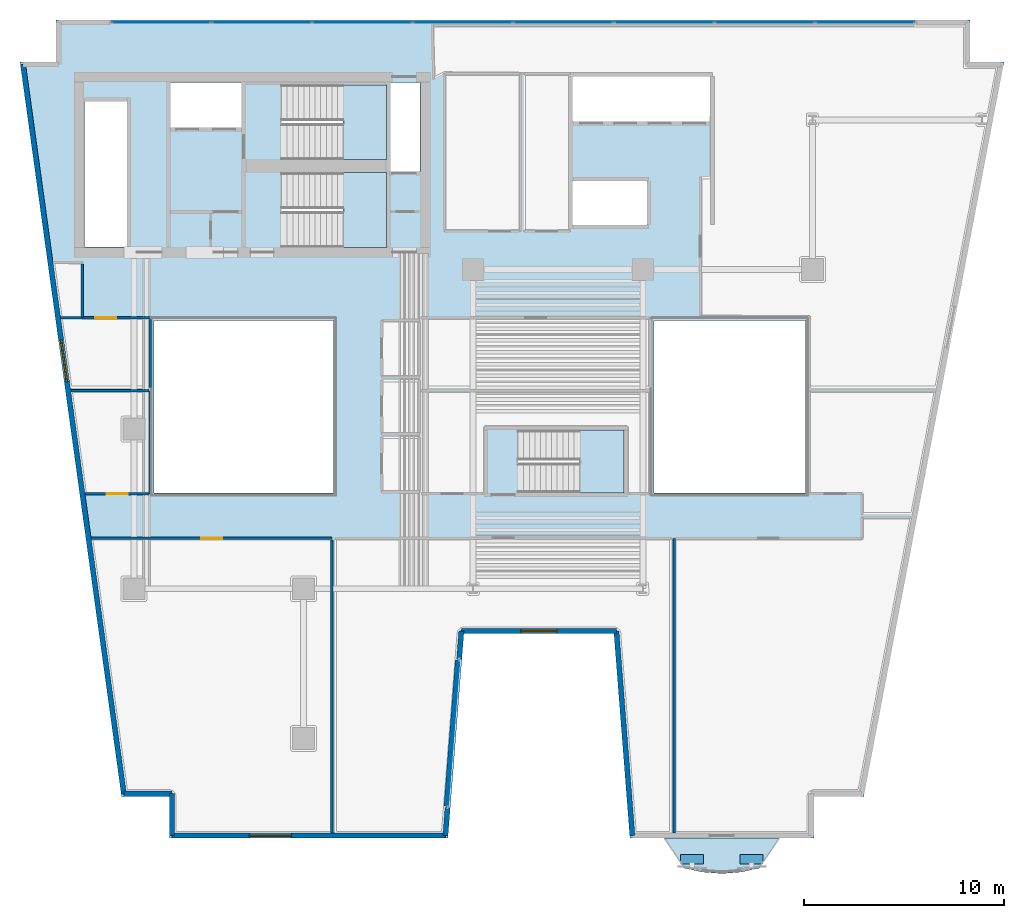
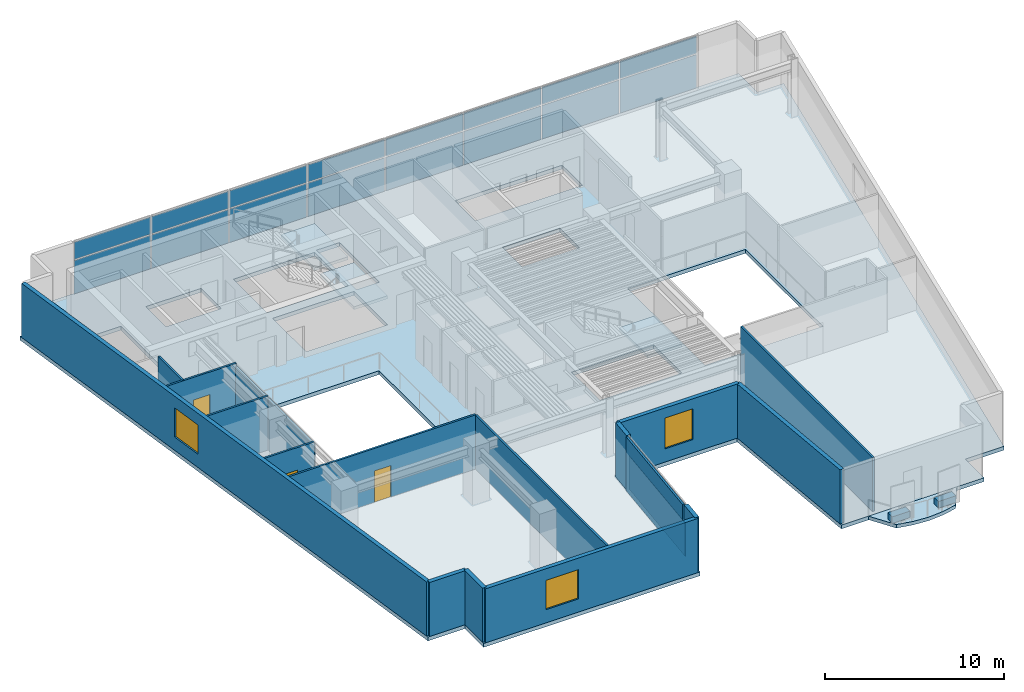
# One storey, part 5 of 13: 20 plates, 18 walls, 5 slabs, 3 doors, 3 windows, 6 openings, 5 elements without a shape of their own.
"""IFC4 building model written with IfcOpenShell, lengths in metres."""

from ifc_helpers import new_model, si_unit, direction, frame, frame_2d, origin, origin_2d, place, context, subcontext, project, spatial, polyline, rectangle, outline, extrude, material, layer, layer_set, type_object, element, fill, aggregate, save


model = new_model("IFC4")

# Units and contexts
model_context = context("Model", 3, precision=1e-05, world=origin(), true_north=direction((0.0, 1.0)))
body_context = subcontext(model_context, "Body", "Model", "MODEL_VIEW")
ifc_project = project(units=[si_unit("LENGTHUNIT", "METRE"), si_unit("AREAUNIT", "SQUARE_METRE"), si_unit("VOLUMEUNIT", "CUBIC_METRE"), si_unit("PLANEANGLEUNIT", "RADIAN"), si_unit("MASSUNIT", "GRAM", prefix="KILO")], contexts=[model_context])

# Site, building, storey
site_placement = place(None, origin())
site = spatial("IfcSite", under=ifc_project, at=site_placement, CompositionType="ELEMENT")
building_placement = place(site_placement, origin())
building = spatial("IfcBuilding", under=site, at=building_placement, Name="Caeloran Harvest Quay", CompositionType="ELEMENT")
storey_placement = place(building_placement, frame((0.0, 0.0, 135.10009765625)))
storey = spatial("IfcBuildingStorey", under=building, at=storey_placement, Name="L31", CompositionType="ELEMENT", Elevation=135.10009765625)

# Slab
ifc_material_1 = material(Name="Concrete C50/60", Category="concrete")
ifc_layer_1 = layer(ifc_material_1, 0.239990234375, Name="Concrete C50/60")
ifc_layer_set_1 = layer_set([ifc_layer_1], Name="Concrete C50/60")
slab_type_1 = type_object("IfcSlabType", Name="BALCONY-BL-240", PredefinedType="FLOOR", material=ifc_layer_set_1)
slab_1_placement = place(storey_placement, frame((0.0, 0.0, -0.239990234375)))
element("IfcSlab", 1, at=slab_1_placement, inside=storey, type_object=slab_type_1, Name="L31 Scalloped Cantilevered Planted Balcony Slab", PredefinedType="FLOOR", context=body_context, shape_type="SweptSolid", body=[
    extrude(outline(polyline([(39.869873046875, 1.002685546875), (38.913818359375, 0.7998046875), (37.95751953125, 0.7255859375), (37.001220703125, 0.7998046875), (36.045166015625, 1.002685546875), (35.1015625, 2.5), (40.8134765625, 2.5), (39.869873046875, 1.002685546875)])), origin(), (0.0, 0.0, 1.0), 0.239990234375),
])

# Curtain wall, plates
ifc_material_2 = material(Name="Aluminium 6063-T6 and Low-E Glazing", Category="aluminium")
ifc_layer_2 = layer(ifc_material_2, 0.18994140625, Name="Aluminium 6063-T6 and Low-E Glazing")
ifc_layer_set_2 = layer_set([ifc_layer_2], Name="Aluminium 6063-T6 and Low-E Glazing")
curtain_wall_type = type_object("IfcCurtainWallType", Name="CW-SYS-CW-3", PredefinedType="USERDEFINED", material=ifc_layer_set_2)
curtain_wall_1_placement = place(storey_placement, origin())
curtain_wall_1 = element("IfcCurtainWall", 2, at=curtain_wall_1_placement, inside=storey, type_object=curtain_wall_type, Name="L31 Unitised Curtain Wall CW-3 Run 6", ObjectType="CURTAIN_WALL", PredefinedType="USERDEFINED")
ifc_material_3 = material(Name="Low-E Double Glazed Vision Glass Unit", Category="glass")
ifc_layer_3 = layer(ifc_material_3, 0.035888671875, Name="Low-E Double Glazed Vision Glass Unit")
ifc_layer_set_3 = layer_set([ifc_layer_3], Name="Low-E Double Glazed Vision Glass Unit")
plate_type_1 = type_object("IfcPlateType", Name="CW-VISION-PANEL", PredefinedType="CURTAIN_PANEL", material=ifc_layer_set_3)
plate_1_placement = place(storey_placement, frame((9.871337890625, 43.3701171875, 0.080078125), z_axis=(0.0, 0.0, 1.0), x_axis=(1.0, 0.0, 0.0)))
plate_1 = element("IfcPlate", 3, at=plate_1_placement, type_object=plate_type_1, Name="CW-3 panel 1.1", PredefinedType="CURTAIN_PANEL", context=body_context, shape_type="SweptSolid", body=[
    extrude(rectangle(XDim=4.922607421875, YDim=0.035888671875, at=origin_2d()), origin(), (0.0, 0.0, 1.0), 2.280029296875),
])
plate_2_placement = place(storey_placement, frame((9.871337890625, 43.3701171875, 2.43994140625), z_axis=(0.0, 0.0, 1.0), x_axis=(1.0, 0.0, 0.0)))
plate_2 = element("IfcPlate", 4, at=plate_2_placement, type_object=plate_type_1, Name="CW-3 panel 1.2", PredefinedType="CURTAIN_PANEL", context=body_context, shape_type="SweptSolid", body=[
    extrude(rectangle(XDim=4.922607421875, YDim=0.035888671875, at=origin_2d()), origin(), (0.0, 0.0, 1.0), 1.169921875),
])
plate_3_placement = place(storey_placement, frame((14.893798828125, 43.3701171875, 0.080078125), z_axis=(0.0, 0.0, 1.0), x_axis=(1.0, 0.0, 0.0)))
plate_3 = element("IfcPlate", 5, at=plate_3_placement, type_object=plate_type_1, Name="CW-3 panel 2.1", PredefinedType="CURTAIN_PANEL", context=body_context, shape_type="SweptSolid", body=[
    extrude(rectangle(XDim=4.96240234375, YDim=0.035888671875, at=origin_2d()), origin(), (0.0, 0.0, 1.0), 2.280029296875),
])
plate_4_placement = place(storey_placement, frame((14.893798828125, 43.3701171875, 2.43994140625), z_axis=(0.0, 0.0, 1.0), x_axis=(1.0, 0.0, 0.0)))
plate_4 = element("IfcPlate", 6, at=plate_4_placement, type_object=plate_type_1, Name="CW-3 panel 2.2", PredefinedType="CURTAIN_PANEL", context=body_context, shape_type="SweptSolid", body=[
    extrude(rectangle(XDim=4.96240234375, YDim=0.035888671875, at=origin_2d()), origin(), (0.0, 0.0, 1.0), 1.169921875),
])
plate_5_placement = place(storey_placement, frame((19.936279296875, 43.3701171875, 0.080078125), z_axis=(0.0, 0.0, 1.0), x_axis=(1.0, 0.0, 0.0)))
plate_5 = element("IfcPlate", 7, at=plate_5_placement, type_object=plate_type_1, Name="CW-3 panel 3.1", PredefinedType="CURTAIN_PANEL", context=body_context, shape_type="SweptSolid", body=[
    extrude(rectangle(XDim=4.96240234375, YDim=0.035888671875, at=origin_2d()), origin(), (0.0, 0.0, 1.0), 2.280029296875),
])
plate_6_placement = place(storey_placement, frame((19.936279296875, 43.3701171875, 2.43994140625), z_axis=(0.0, 0.0, 1.0), x_axis=(1.0, 0.0, 0.0)))
plate_6 = element("IfcPlate", 8, at=plate_6_placement, type_object=plate_type_1, Name="CW-3 panel 3.2", PredefinedType="CURTAIN_PANEL", context=body_context, shape_type="SweptSolid", body=[
    extrude(rectangle(XDim=4.96240234375, YDim=0.035888671875, at=origin_2d()), origin(), (0.0, 0.0, 1.0), 1.169921875),
])
plate_7_placement = place(storey_placement, frame((24.978759765625, 43.3701171875, 0.080078125), z_axis=(0.0, 0.0, 1.0), x_axis=(1.0, 0.0, 0.0)))
plate_7 = element("IfcPlate", 9, at=plate_7_placement, type_object=plate_type_1, Name="CW-3 panel 4.1", PredefinedType="CURTAIN_PANEL", context=body_context, shape_type="SweptSolid", body=[
    extrude(rectangle(XDim=4.96240234375, YDim=0.035888671875, at=origin_2d()), origin(), (0.0, 0.0, 1.0), 2.280029296875),
])
plate_8_placement = place(storey_placement, frame((24.978759765625, 43.3701171875, 2.43994140625), z_axis=(0.0, 0.0, 1.0), x_axis=(1.0, 0.0, 0.0)))
plate_8 = element("IfcPlate", 10, at=plate_8_placement, type_object=plate_type_1, Name="CW-3 panel 4.2", PredefinedType="CURTAIN_PANEL", context=body_context, shape_type="SweptSolid", body=[
    extrude(rectangle(XDim=4.96240234375, YDim=0.035888671875, at=origin_2d()), origin(), (0.0, 0.0, 1.0), 1.169921875),
])
plate_9_placement = place(storey_placement, frame((30.021240234375, 43.3701171875, 0.080078125), z_axis=(0.0, 0.0, 1.0), x_axis=(1.0, 0.0, 0.0)))
plate_9 = element("IfcPlate", 11, at=plate_9_placement, type_object=plate_type_1, Name="CW-3 panel 5.1", PredefinedType="CURTAIN_PANEL", context=body_context, shape_type="SweptSolid", body=[
    extrude(rectangle(XDim=4.96240234375, YDim=0.035888671875, at=origin_2d()), origin(), (0.0, 0.0, 1.0), 2.280029296875),
])
plate_10_placement = place(storey_placement, frame((30.021240234375, 43.3701171875, 2.43994140625), z_axis=(0.0, 0.0, 1.0), x_axis=(1.0, 0.0, 0.0)))
plate_10 = element("IfcPlate", 12, at=plate_10_placement, type_object=plate_type_1, Name="CW-3 panel 5.2", PredefinedType="CURTAIN_PANEL", context=body_context, shape_type="SweptSolid", body=[
    extrude(rectangle(XDim=4.96240234375, YDim=0.035888671875, at=origin_2d()), origin(), (0.0, 0.0, 1.0), 1.169921875),
])
plate_11_placement = place(storey_placement, frame((35.063720703125, 43.3701171875, 0.080078125), z_axis=(0.0, 0.0, 1.0), x_axis=(1.0, 0.0, 0.0)))
plate_11 = element("IfcPlate", 13, at=plate_11_placement, type_object=plate_type_1, Name="CW-3 panel 6.1", PredefinedType="CURTAIN_PANEL", context=body_context, shape_type="SweptSolid", body=[
    extrude(rectangle(XDim=4.96240234375, YDim=0.035888671875, at=origin_2d()), origin(), (0.0, 0.0, 1.0), 2.280029296875),
])
plate_12_placement = place(storey_placement, frame((35.063720703125, 43.3701171875, 2.43994140625), z_axis=(0.0, 0.0, 1.0), x_axis=(1.0, 0.0, 0.0)))
plate_12 = element("IfcPlate", 14, at=plate_12_placement, type_object=plate_type_1, Name="CW-3 panel 6.2", PredefinedType="CURTAIN_PANEL", context=body_context, shape_type="SweptSolid", body=[
    extrude(rectangle(XDim=4.96240234375, YDim=0.035888671875, at=origin_2d()), origin(), (0.0, 0.0, 1.0), 1.169921875),
])
plate_13_placement = place(storey_placement, frame((40.106201171875, 43.3701171875, 0.080078125), z_axis=(0.0, 0.0, 1.0), x_axis=(1.0, 0.0, 0.0)))
plate_13 = element("IfcPlate", 15, at=plate_13_placement, type_object=plate_type_1, Name="CW-3 panel 7.1", PredefinedType="CURTAIN_PANEL", context=body_context, shape_type="SweptSolid", body=[
    extrude(rectangle(XDim=4.96240234375, YDim=0.035888671875, at=origin_2d()), origin(), (0.0, 0.0, 1.0), 2.280029296875),
])
plate_14_placement = place(storey_placement, frame((40.106201171875, 43.3701171875, 2.43994140625), z_axis=(0.0, 0.0, 1.0), x_axis=(1.0, 0.0, 0.0)))
plate_14 = element("IfcPlate", 16, at=plate_14_placement, type_object=plate_type_1, Name="CW-3 panel 7.2", PredefinedType="CURTAIN_PANEL", context=body_context, shape_type="SweptSolid", body=[
    extrude(rectangle(XDim=4.96240234375, YDim=0.035888671875, at=origin_2d()), origin(), (0.0, 0.0, 1.0), 1.169921875),
])
plate_15_placement = place(storey_placement, frame((45.128662109375, 43.3701171875, 0.080078125), z_axis=(0.0, 0.0, 1.0), x_axis=(1.0, 0.0, 0.0)))
plate_15 = element("IfcPlate", 17, at=plate_15_placement, type_object=plate_type_1, Name="CW-3 panel 8.1", PredefinedType="CURTAIN_PANEL", context=body_context, shape_type="SweptSolid", body=[
    extrude(rectangle(XDim=4.922607421875, YDim=0.035888671875, at=origin_2d()), origin(), (0.0, 0.0, 1.0), 2.280029296875),
])
plate_16_placement = place(storey_placement, frame((45.128662109375, 43.3701171875, 2.43994140625), z_axis=(0.0, 0.0, 1.0), x_axis=(1.0, 0.0, 0.0)))
plate_16 = element("IfcPlate", 18, at=plate_16_placement, type_object=plate_type_1, Name="CW-3 panel 8.2", PredefinedType="CURTAIN_PANEL", context=body_context, shape_type="SweptSolid", body=[
    extrude(rectangle(XDim=4.922607421875, YDim=0.035888671875, at=origin_2d()), origin(), (0.0, 0.0, 1.0), 1.169921875),
])
aggregate(curtain_wall_1, [plate_1, plate_2, plate_3, plate_4, plate_5, plate_6, plate_7, plate_8, plate_9, plate_10, plate_11, plate_12, plate_13, plate_14, plate_15, plate_16])

curtain_wall_2_placement = place(storey_placement, origin())
curtain_wall_2 = element("IfcCurtainWall", 19, at=curtain_wall_2_placement, inside=storey, type_object=curtain_wall_type, Name="L31 Unitised Curtain Wall CW-3 Run 15", ObjectType="CURTAIN_WALL", PredefinedType="USERDEFINED")
plate_17_placement = place(storey_placement, frame((24.509765625, 7.7548828125, 0.080078125), z_axis=(0.0, 0.0, 1.0), x_axis=(-0.077821861046, -0.996967280277, 0.0)))
plate_17 = element("IfcPlate", 20, at=plate_17_placement, type_object=plate_type_1, Name="CW-3 panel 1.1", PredefinedType="CURTAIN_PANEL", context=body_context, shape_type="SweptSolid", body=[
    extrude(rectangle(XDim=7.3212890625, YDim=0.035888671875, at=origin_2d()), origin(), (0.0, 0.0, 1.0), 2.280029296875),
])
plate_18_placement = place(storey_placement, frame((24.509765625, 7.7548828125, 2.43994140625), z_axis=(0.0, 0.0, 1.0), x_axis=(-0.077821861046, -0.996967280277, 0.0)))
plate_18 = element("IfcPlate", 21, at=plate_18_placement, type_object=plate_type_1, Name="CW-3 panel 1.2", PredefinedType="CURTAIN_PANEL", context=body_context, shape_type="SweptSolid", body=[
    extrude(rectangle(XDim=7.3212890625, YDim=0.035888671875, at=origin_2d()), origin(), (0.0, 0.0, 1.0), 1.169921875),
])
aggregate(curtain_wall_2, [plate_17, plate_18])

# Plates
ifc_material_4 = material(Name="Precast concrete C50/60", Category="concrete")
ifc_layer_4 = layer(ifc_material_4, 0.449951171875, Name="Precast concrete C50/60")
ifc_layer_set_4 = layer_set([ifc_layer_4], Name="Precast concrete C50/60")
plate_type_2 = type_object("IfcPlateType", Name="PLANTER-TROUGH-450", PredefinedType="USERDEFINED", material=ifc_layer_set_4)
for number, where, z_axis, x_axis, name in (
    (22, (39.44921875, 1.44921875, 0.0), (0.0, 0.0, 1.0), (1.0, 0.0, 0.0), "L31 Balcony Vertical-Greenery Precast PLANTER Trough 1"),
    (23, (36.4658203125, 1.44921875, 0.0), (0.0, 0.0, 1.0), (1.0, 0.0, 0.0), "L31 Balcony Vertical-Greenery Precast PLANTER Trough 2"),
):
    element("IfcPlate", number, at=place(storey_placement, frame(where, z_axis=z_axis, x_axis=x_axis)), inside=storey, type_object=plate_type_2, Name=name, ObjectType="PLANTER", PredefinedType="USERDEFINED", context=body_context, shape_type="SweptSolid", body=[
        extrude(rectangle(XDim=1.14990234375, YDim=0.47998046875, at=origin_2d()), origin(), (0.0, 0.0, 1.0), 0.449951171875),
    ])

# Slab
ifc_layer_5 = layer(ifc_material_1, 0.260009765625, Name="Concrete C50/60")
ifc_layer_set_5 = layer_set([ifc_layer_5], Name="Concrete C50/60")
slab_type_2 = type_object("IfcSlabType", Name="SLAB-FS-260", PredefinedType="FLOOR", material=ifc_layer_set_5)
slab_2_placement = place(storey_placement, frame((0.0, 0.0, -0.260009765625)))
element("IfcSlab", 24, at=slab_2_placement, inside=storey, type_object=slab_type_2, Name="L31 Structural Floor Slab", PredefinedType="FLOOR", context=body_context, shape_type="SweptSolid", body=[
    extrude(outline(polyline([(10.27001953125, 2.5), (24.22998046875, 2.5), (25.030029296875, 12.75), (32.554931640625, 12.75), (33.35498046875, 2.5), (42.570068359375, 2.5), (42.570068359375, 4.60009765625), (45.071044921875, 4.60009765625), (52.09912109375, 41.39990234375), (50.39990234375, 41.39990234375), (50.39990234375, 43.5), (4.60009765625, 43.5), (4.60009765625, 41.39990234375), (2.790283203125, 41.39990234375), (7.879638671875, 4.60009765625), (10.27001953125, 4.60009765625), (10.27001953125, 2.5)]), holes=[polyline([(27.75, 19.800048828125), (27.75, 22.949951171875), (33.050048828125, 22.949951171875), (33.050048828125, 19.800048828125), (27.75, 19.800048828125)]), polyline([(18.5, 19.800048828125), (9.5, 19.800048828125), (9.5, 28.449951171875), (18.5, 28.449951171875), (18.5, 19.800048828125)]), polyline([(42.14990234375, 19.800048828125), (34.550048828125, 19.800048828125), (34.550048828125, 28.449951171875), (42.14990234375, 28.449951171875), (42.14990234375, 19.800048828125)]), polyline([(15.89990234375, 35.85009765625), (21.14990234375, 35.85009765625), (21.14990234375, 32.10009765625), (15.89990234375, 32.10009765625), (15.89990234375, 35.85009765625)]), polyline([(30.47998046875, 33.219970703125), (30.47998046875, 35.429931640625), (34.199951171875, 35.429931640625), (34.199951171875, 33.219970703125), (30.47998046875, 33.219970703125)]), polyline([(8.159912109375, 32.1201171875), (6.02001953125, 32.1201171875), (6.02001953125, 39.419921875), (8.159912109375, 39.419921875), (8.159912109375, 32.1201171875)]), polyline([(22.830078125, 35.919921875), (21.35009765625, 35.919921875), (21.35009765625, 40.3798828125), (22.830078125, 40.3798828125), (22.830078125, 35.919921875)]), polyline([(15.89990234375, 36.5), (15.89990234375, 40.25), (21.14990234375, 40.25), (21.14990234375, 36.5), (15.89990234375, 36.5)]), polyline([(10.320068359375, 38.1201171875), (10.320068359375, 40.3798828125), (13.89990234375, 40.3798828125), (13.89990234375, 38.1201171875), (10.320068359375, 38.1201171875)]), polyline([(30.47998046875, 38.419921875), (30.47998046875, 40.679931640625), (37.3798828125, 40.679931640625), (37.3798828125, 38.419921875), (30.47998046875, 38.419921875)])]), origin(), (0.0, 0.0, 1.0), 0.260009765625),
])

# Stair, slab
stair_type_1 = type_object("IfcStairType", Name="STAIR-STC-180", PredefinedType="HALF_TURN_STAIR", material=ifc_material_1)
stair_1_placement = place(storey_placement, origin())
stair_1 = element("IfcStair", 25, at=stair_1_placement, inside=storey, type_object=stair_type_1, Name="L31 Core Pressurized Exit Stair ST-C1", PredefinedType="HALF_TURN_STAIR")
ifc_layer_6 = layer(ifc_material_1, 0.219970703125, Name="Concrete C50/60")
ifc_layer_set_6 = layer_set([ifc_layer_6], Name="Concrete C50/60")
slab_type_3 = type_object("IfcSlabType", Name="STAIR-LANDING-220", PredefinedType="LANDING", material=ifc_layer_set_6)
slab_3_placement = place(storey_placement, frame((0.0, 0.0, 1.77490234375)))
slab_3 = element("IfcSlab", 26, at=slab_3_placement, type_object=slab_type_3, Name="ST-C1 landing 1", PredefinedType="LANDING", context=body_context, shape_type="SweptSolid", body=[
    extrude(outline(polyline([(18.97998046875, 36.5), (21.14990234375, 36.5), (21.14990234375, 40.25), (18.97998046875, 40.25), (18.97998046875, 36.5)])), origin(), (0.0, 0.0, 1.0), 0.199951171875),
])
aggregate(stair_1, [slab_3])

stair_2_placement = place(storey_placement, origin())
stair_2 = element("IfcStair", 27, at=stair_2_placement, inside=storey, type_object=stair_type_1, Name="L31 Core Pressurized Exit Stair ST-C2", PredefinedType="HALF_TURN_STAIR")
slab_4_placement = place(storey_placement, frame((0.0, 0.0, 1.77490234375)))
slab_4 = element("IfcSlab", 28, at=slab_4_placement, type_object=slab_type_3, Name="ST-C2 landing 1", PredefinedType="LANDING", context=body_context, shape_type="SweptSolid", body=[
    extrude(outline(polyline([(18.97998046875, 32.10009765625), (21.14990234375, 32.10009765625), (21.14990234375, 35.85009765625), (18.97998046875, 35.85009765625), (18.97998046875, 32.10009765625)])), origin(), (0.0, 0.0, 1.0), 0.199951171875),
])
aggregate(stair_2, [slab_4])

stair_type_2 = type_object("IfcStairType", Name="STAIR-STW-150", PredefinedType="HALF_TURN_STAIR", material=ifc_material_1)
stair_3_placement = place(storey_placement, origin())
stair_3 = element("IfcStair", 29, at=stair_3_placement, inside=storey, type_object=stair_type_2, Name="L31 East Wing Protected Exit Stair ST-W1", PredefinedType="HALF_TURN_STAIR")
slab_5_placement = place(storey_placement, frame((0.0, 0.0, 1.77490234375)))
slab_5 = element("IfcSlab", 30, at=slab_5_placement, type_object=slab_type_3, Name="ST-W1 landing 1", PredefinedType="LANDING", context=body_context, shape_type="SweptSolid", body=[
    extrude(outline(polyline([(30.830078125, 19.800048828125), (33.050048828125, 19.800048828125), (33.050048828125, 22.949951171875), (30.830078125, 22.949951171875), (30.830078125, 19.800048828125)])), origin(), (0.0, 0.0, 1.0), 0.199951171875),
])
aggregate(stair_3, [slab_5])

# Walls
ifc_layer_7 = layer(ifc_material_4, 0.260009765625, Name="Precast concrete C50/60")
ifc_layer_set_7 = layer_set([ifc_layer_7], Name="Precast concrete C50/60")
wall_type_1 = type_object("IfcWallType", Name="ENV-WALL-EW-260", PredefinedType="STANDARD", material=ifc_layer_set_7)
wall_1_placement = place(storey_placement, frame((10.39990234375, 2.6298828125, 0.0), z_axis=(0.0, 0.0, 1.0), x_axis=(0.0, 1.0, 0.0)))
element("IfcWall", 31, at=wall_1_placement, inside=storey, type_object=wall_type_1, Name="L31 Exterior Precast Concrete Facade Wall 1", PredefinedType="STANDARD", context=body_context, shape_type="SweptSolid", body=[
    extrude(rectangle(XDim=2.10009765625, YDim=0.260009765625, at=frame_2d((1.050048828125, 0.0))), origin(), (0.0, 0.0, 1.0), 3.68994140625),
])
wall_2_placement = place(storey_placement, frame((10.39990234375, 4.72998046875, 0.0), z_axis=(0.0, 0.0, 1.0), x_axis=(-1.0, 0.0, 0.0)))
element("IfcWall", 32, at=wall_2_placement, inside=storey, type_object=wall_type_1, Name="L31 Exterior Precast Concrete Facade Wall 2", PredefinedType="STANDARD", context=body_context, shape_type="SweptSolid", body=[
    extrude(rectangle(XDim=2.406982421875, YDim=0.260009765625, at=frame_2d((1.20361328125, 0.0))), origin(), (0.0, 0.0, 1.0), 3.68994140625),
])

# Wall, opening, window
wall_3_placement = place(storey_placement, frame((7.992919921875, 4.72998046875, 0.0), z_axis=(0.0, 0.0, 1.0), x_axis=(-0.136989009016, 0.990572567462, 0.0)))
wall_3 = element("IfcWall", 33, at=wall_3_placement, inside=storey, type_object=wall_type_1, Name="L31 Exterior Precast Concrete Facade Wall 3", PredefinedType="STANDARD", context=body_context, shape_type="SweptSolid", body=[
    extrude(rectangle(XDim=36.8876953125, YDim=0.260009765625, at=frame_2d((18.44384765625, 0.0))), origin(), (0.0, 0.0, 1.0), 3.68994140625),
])
opening_1_placement = place(wall_3_placement, frame((20.848388671875, 0.0, 0.89990234375)))
opening_1 = element("IfcOpeningElement", 34, at=opening_1_placement, cuts=wall_3, Name="Opening W-06", PredefinedType="OPENING", context=body_context, shape_type="SweptSolid", body=[
    extrude(rectangle(XDim=2.10009765625, YDim=2.0, at=frame_2d((1.050048828125, 1.0))), frame((0.0, 0.14013671875, 0.0), z_axis=(0.0, -1.0, 0.0), x_axis=(1.0, 0.0, 0.0)), (0.0, 0.0, 1.0), 0.280029296875),
])
ifc_material_5 = material(Name="Aluminium-Framed Low-E Laminated Glass", Category="aluminium")
window_type_1 = type_object("IfcWindowType", Name="WIN-W-06", PartitioningType="DOUBLE_PANEL_VERTICAL", PredefinedType="WINDOW", material=ifc_material_5)
window_1_placement = place(opening_1_placement, origin())
window_1 = element("IfcWindow", 35, at=window_1_placement, inside=storey, type_object=window_type_1, Name="L31 Facade Punched Window W-06", OverallHeight=2.0, OverallWidth=2.10009765625, PartitioningType="DOUBLE_PANEL_VERTICAL", PredefinedType="WINDOW", context=body_context, shape_type="SweptSolid", body=[
    extrude(rectangle(XDim=2.10009765625, YDim=2.0, at=frame_2d((1.050048828125, 1.0))), frame((0.0, 0.030029296875, 0.0), z_axis=(0.0, -1.0, 0.0), x_axis=(1.0, 0.0, 0.0)), (0.0, 0.0, 1.0), 0.06005859375),
])
fill(opening_1, window_1)

# Wall
wall_4_placement = place(storey_placement, frame((33.47509765625, 2.6298828125, 0.0), z_axis=(0.0, 0.0, 1.0), x_axis=(-0.077793257511, 0.996969512616, 0.0)))
element("IfcWall", 36, at=wall_4_placement, inside=storey, type_object=wall_type_1, Name="L31 Exterior Precast Concrete Facade Wall 13", PredefinedType="STANDARD", context=body_context, shape_type="SweptSolid", body=[
    extrude(rectangle(XDim=10.28125, YDim=0.260009765625, at=frame_2d((5.140625, 0.0))), origin(), (0.0, 0.0, 1.0), 3.68994140625),
])

# Wall, opening, window
wall_5_placement = place(storey_placement, frame((32.67529296875, 12.8798828125, 0.0), z_axis=(0.0, 0.0, 1.0), x_axis=(-1.0, 0.0, 0.0)))
wall_5 = element("IfcWall", 37, at=wall_5_placement, inside=storey, type_object=wall_type_1, Name="L31 Exterior Precast Concrete Facade Wall 14", PredefinedType="STANDARD", context=body_context, shape_type="SweptSolid", body=[
    extrude(rectangle(XDim=7.765380859375, YDim=0.260009765625, at=frame_2d((3.8828125, 0.0))), origin(), (0.0, 0.0, 1.0), 3.68994140625),
])
opening_2_placement = place(wall_5_placement, frame((2.98291015625, 0.0, 0.89990234375)))
opening_2 = element("IfcOpeningElement", 38, at=opening_2_placement, cuts=wall_5, Name="Opening W-01", PredefinedType="OPENING", context=body_context, shape_type="SweptSolid", body=[
    extrude(rectangle(XDim=1.800048828125, YDim=2.10009765625, at=frame_2d((0.89990234375, 1.050048828125))), frame((0.0, 0.14013671875, 0.0), z_axis=(0.0, -1.0, 0.0), x_axis=(1.0, 0.0, 0.0)), (0.0, 0.0, 1.0), 0.280029296875),
])
window_type_2 = type_object("IfcWindowType", Name="WIN-W-01", PartitioningType="SINGLE_PANEL", PredefinedType="WINDOW", material=ifc_material_5)
window_2_placement = place(opening_2_placement, origin())
window_2 = element("IfcWindow", 39, at=window_2_placement, inside=storey, type_object=window_type_2, Name="L31 Facade Punched Window W-01", OverallHeight=2.10009765625, OverallWidth=1.800048828125, PartitioningType="SINGLE_PANEL", PredefinedType="WINDOW", context=body_context, shape_type="SweptSolid", body=[
    extrude(rectangle(XDim=1.800048828125, YDim=2.10009765625, at=frame_2d((0.89990234375, 1.050048828125))), frame((0.0, 0.030029296875, 0.0), z_axis=(0.0, -1.0, 0.0), x_axis=(1.0, 0.0, 0.0)), (0.0, 0.0, 1.0), 0.06005859375),
])
fill(opening_2, window_2)

# Walls
for number, where, z_axis, x_axis, name in (
    (40, (24.909912109375, 12.8798828125, 0.0), (0.0, 0.0, 1.0), (-0.077949956455, -0.996957273051, 0.0), "L31 Exterior Facade Corner Pier Wall 15A"),
    (41, (24.21875, 4.025634765625, 0.0), (0.0, 0.0, 1.0), (-0.077776627829, -0.996970810086, 0.0), "L31 Exterior Facade Corner Pier Wall 15B"),
):
    element("IfcWall", number, at=place(storey_placement, frame(where, z_axis=z_axis, x_axis=x_axis)), inside=storey, type_object=wall_type_1, Name=name, PredefinedType="STANDARD", context=body_context, shape_type="SweptSolid", body=[
        extrude(rectangle(XDim=1.39990234375, YDim=0.260009765625, at=frame_2d((0.699951171875, 0.0))), origin(), (0.0, 0.0, 1.0), 3.68994140625),
    ])

# Wall, opening, window
wall_6_placement = place(storey_placement, frame((24.10986328125, 2.6298828125, 0.0), z_axis=(0.0, 0.0, 1.0), x_axis=(-1.0, 0.0, 0.0)))
wall_6 = element("IfcWall", 42, at=wall_6_placement, inside=storey, type_object=wall_type_1, Name="L31 Exterior Precast Concrete Facade Wall 16", PredefinedType="STANDARD", context=body_context, shape_type="SweptSolid", body=[
    extrude(rectangle(XDim=13.7099609375, YDim=0.260009765625, at=frame_2d((6.85498046875, 0.0))), origin(), (0.0, 0.0, 1.0), 3.68994140625),
])
opening_3_placement = place(wall_6_placement, frame((7.72412109375, 0.0, 0.89990234375)))
opening_3 = element("IfcOpeningElement", 43, at=opening_3_placement, cuts=wall_6, Name="Opening W-06", PredefinedType="OPENING", context=body_context, shape_type="SweptSolid", body=[
    extrude(rectangle(XDim=2.10009765625, YDim=2.0, at=frame_2d((1.050048828125, 1.0))), frame((0.0, 0.14013671875, 0.0), z_axis=(0.0, -1.0, 0.0), x_axis=(1.0, 0.0, 0.0)), (0.0, 0.0, 1.0), 0.280029296875),
])
window_3_placement = place(opening_3_placement, origin())
window_3 = element("IfcWindow", 44, at=window_3_placement, inside=storey, type_object=window_type_1, Name="L31 Facade Punched Window W-06", OverallHeight=2.0, OverallWidth=2.10009765625, PartitioningType="DOUBLE_PANEL_VERTICAL", PredefinedType="WINDOW", context=body_context, shape_type="SweptSolid", body=[
    extrude(rectangle(XDim=2.10009765625, YDim=2.0, at=frame_2d((1.050048828125, 1.0))), frame((0.0, 0.030029296875, 0.0), z_axis=(0.0, -1.0, 0.0), x_axis=(1.0, 0.0, 0.0)), (0.0, 0.0, 1.0), 0.06005859375),
])
fill(opening_3, window_3)

# Wall, opening, door
ifc_material_6 = material(Name="Twin-Stud Mineral-Wool Acoustic Gypsum Partition", Category="gypsum")
ifc_layer_8 = layer(ifc_material_6, 0.125, Name="Twin-Stud Mineral-Wool Acoustic Gypsum Partition")
ifc_layer_set_8 = layer_set([ifc_layer_8], Name="Twin-Stud Mineral-Wool Acoustic Gypsum Partition")
wall_type_2 = type_object("IfcWallType", Name="INT-WALL-PW-125", PredefinedType="PARTITIONING", material=ifc_layer_set_8)
wall_7_placement = place(storey_placement, frame((6.3603515625, 17.52001953125, 0.0), z_axis=(0.0, 0.0, 1.0), x_axis=(1.0, 0.0, 0.0)))
wall_7 = element("IfcWall", 45, at=wall_7_placement, inside=storey, type_object=wall_type_2, Name="Cellular Agriculture Bioprocess Laboratory Partition Wall", PredefinedType="PARTITIONING", context=body_context, shape_type="SweptSolid", body=[
    extrude(rectangle(XDim=12.0595703125, YDim=0.125, at=frame_2d((6.02978515625, 0.0))), origin(), (0.0, 0.0, 1.0), 3.68994140625),
])
opening_4_placement = place(wall_7_placement, frame((5.5048828125, 0.0, 0.0)))
opening_4 = element("IfcOpeningElement", 46, at=opening_4_placement, cuts=wall_7, Name="Opening ID-03", PredefinedType="OPENING", context=body_context, shape_type="SweptSolid", body=[
    extrude(rectangle(XDim=1.050048828125, YDim=2.14990234375, at=frame_2d((0.52490234375, 1.074951171875))), frame((0.0, 0.072509765625, 0.0), z_axis=(0.0, -1.0, 0.0), x_axis=(1.0, 0.0, 0.0)), (0.0, 0.0, 1.0), 0.14501953125),
])
ifc_material_7 = material(Name="FSC Solid-Core Oak Timber Leaf", Category="wood")
door_type = type_object("IfcDoorType", Name="INTDOOR-ID-03", OperationType="NOTDEFINED", PredefinedType="DOOR", material=ifc_material_7)
door_1_placement = place(opening_4_placement, origin())
door_1 = element("IfcDoor", 47, at=door_1_placement, inside=storey, type_object=door_type, Name="Cellular Agriculture Bioprocess Laboratory Access Door", OperationType="SINGLE_SWING_LEFT", OverallHeight=2.14990234375, OverallWidth=1.050048828125, PredefinedType="DOOR", context=body_context, shape_type="SweptSolid", body=[
    extrude(rectangle(XDim=1.050048828125, YDim=2.14990234375, at=frame_2d((0.52490234375, 1.074951171875))), frame((0.0, 0.02490234375, 0.0), z_axis=(0.0, -1.0, 0.0), x_axis=(1.0, 0.0, 0.0)), (0.0, 0.0, 1.0), 0.050048828125),
])
fill(opening_4, door_1)

# Walls
wall_8_placement = place(storey_placement, frame((18.419921875, 17.452392578125, 0.0), z_axis=(0.0, 0.0, 1.0), x_axis=(0.0, -1.0, 0.0)))
element("IfcWall", 48, at=wall_8_placement, inside=storey, type_object=wall_type_2, Name="Cellular Agriculture Bioprocess Laboratory Partition Wall", PredefinedType="PARTITIONING", context=body_context, shape_type="SweptSolid", body=[
    extrude(rectangle(XDim=14.6875, YDim=0.125, at=frame_2d((7.34375, 0.0))), origin(), (0.0, 0.0, 1.0), 3.68994140625),
])
wall_9_placement = place(storey_placement, frame((35.580078125, 2.764892578125, 0.0), z_axis=(0.0, 0.0, 1.0), x_axis=(0.0, 1.0, 0.0)))
element("IfcWall", 49, at=wall_9_placement, inside=storey, type_object=wall_type_2, Name="Food Texture Sensory Laboratory Partition Wall", PredefinedType="PARTITIONING", context=body_context, shape_type="SweptSolid", body=[
    extrude(rectangle(XDim=14.755126953125, YDim=0.125, at=frame_2d((7.37744140625, 0.0))), origin(), (0.0, 0.0, 1.0), 3.68994140625),
])
wall_10_placement = place(storey_placement, frame((24.665771484375, 11.419921875, 0.0), z_axis=(0.0, 0.0, 1.0), x_axis=(-0.077816821526, -0.996967673642, 0.0)))
element("IfcWall", 50, at=wall_10_placement, inside=storey, type_object=wall_type_2, Name="Fermentation Pilot Laboratory Partition Wall", PredefinedType="PARTITIONING", context=body_context, shape_type="SweptSolid", body=[
    extrude(rectangle(XDim=7.33203125, YDim=0.125, at=frame_2d((3.666015625, 0.0))), origin(), (0.0, 0.0, 1.0), 3.68994140625),
])
wall_11_placement = place(storey_placement, frame((9.320068359375, 24.919921875, 0.0), z_axis=(0.0, 0.0, 1.0), x_axis=(0.0, -1.0, 0.0)))
element("IfcWall", 51, at=wall_11_placement, inside=storey, type_object=wall_type_2, Name="Design Thinking Seminar Hall Partition Wall", PredefinedType="PARTITIONING", context=body_context, shape_type="SweptSolid", body=[
    extrude(rectangle(XDim=5.169921875, YDim=0.125, at=frame_2d((2.5849609375, 0.0))), origin(), (0.0, 0.0, 1.0), 3.474853515625),
])

# Wall, opening, door
wall_12_placement = place(storey_placement, frame((9.25244140625, 19.75, 0.0), z_axis=(0.0, 0.0, 1.0), x_axis=(-1.0, 0.0, 0.0)))
wall_12 = element("IfcWall", 52, at=wall_12_placement, inside=storey, type_object=wall_type_2, Name="Design Thinking Seminar Hall Partition Wall", PredefinedType="PARTITIONING", context=body_context, shape_type="SweptSolid", body=[
    extrude(rectangle(XDim=3.200439453125, YDim=0.125, at=frame_2d((1.60009765625, 0.0))), origin(), (0.0, 0.0, 1.0), 3.68994140625),
])
opening_5_placement = place(wall_12_placement, frame((1.0751953125, 0.0, 0.0)))
opening_5 = element("IfcOpeningElement", 53, at=opening_5_placement, cuts=wall_12, Name="Opening ID-03", PredefinedType="OPENING", context=body_context, shape_type="SweptSolid", body=[
    extrude(rectangle(XDim=1.050048828125, YDim=2.14990234375, at=frame_2d((0.52490234375, 1.074951171875))), frame((0.0, 0.072509765625, 0.0), z_axis=(0.0, -1.0, 0.0), x_axis=(1.0, 0.0, 0.0)), (0.0, 0.0, 1.0), 0.14501953125),
])
door_2_placement = place(opening_5_placement, origin())
door_2 = element("IfcDoor", 54, at=door_2_placement, inside=storey, type_object=door_type, Name="Design Thinking Seminar Hall Access Door", OperationType="SINGLE_SWING_LEFT", OverallHeight=2.14990234375, OverallWidth=1.050048828125, PredefinedType="DOOR", context=body_context, shape_type="SweptSolid", body=[
    extrude(rectangle(XDim=1.050048828125, YDim=2.14990234375, at=frame_2d((0.52490234375, 1.074951171875))), frame((0.0, 0.02490234375, 0.0), z_axis=(0.0, -1.0, 0.0), x_axis=(1.0, 0.0, 0.0)), (0.0, 0.0, 1.0), 0.050048828125),
])
fill(opening_5, door_2)

# Walls
wall_13_placement = place(storey_placement, frame((5.3369140625, 24.919921875, 0.0), z_axis=(0.0, 0.0, 1.0), x_axis=(1.0, 0.0, 0.0)))
element("IfcWall", 55, at=wall_13_placement, inside=storey, type_object=wall_type_2, Name="Design Thinking Seminar Hall Partition Wall", PredefinedType="PARTITIONING", context=body_context, shape_type="SweptSolid", body=[
    extrude(rectangle(XDim=3.91552734375, YDim=0.125, at=frame_2d((1.957763671875, 0.0))), origin(), (0.0, 0.0, 1.0), 3.68994140625),
])
wall_14_placement = place(storey_placement, frame((5.919921875, 31.282470703125, 0.0), z_axis=(0.0, 0.0, 1.0), x_axis=(0.0, -1.0, 0.0)))
element("IfcWall", 56, at=wall_14_placement, inside=storey, type_object=wall_type_2, Name="Cellular Agriculture Bioprocess Laboratory 8 Partition Wall", PredefinedType="PARTITIONING", context=body_context, shape_type="SweptSolid", body=[
    extrude(rectangle(XDim=2.682373046875, YDim=0.125, at=frame_2d((1.34130859375, 0.0))), origin(), (0.0, 0.0, 1.0), 3.68994140625),
])

# Wall, opening, door
wall_15_placement = place(storey_placement, frame((4.832275390625, 28.570068359375, 0.0), z_axis=(0.0, 0.0, 1.0), x_axis=(1.0, 0.0, 0.0)))
wall_15 = element("IfcWall", 57, at=wall_15_placement, inside=storey, type_object=wall_type_2, Name="Cellular Agriculture Bioprocess Laboratory 8 Partition Wall", PredefinedType="PARTITIONING", context=body_context, shape_type="SweptSolid", body=[
    extrude(rectangle(XDim=4.48779296875, YDim=0.125, at=frame_2d((2.243896484375, 0.0))), origin(), (0.0, 0.0, 1.0), 3.68994140625),
])
opening_6_placement = place(wall_15_placement, frame((1.718994140625, 0.0, 0.0)))
opening_6 = element("IfcOpeningElement", 58, at=opening_6_placement, cuts=wall_15, Name="Opening ID-03", PredefinedType="OPENING", context=body_context, shape_type="SweptSolid", body=[
    extrude(rectangle(XDim=1.050048828125, YDim=2.14990234375, at=frame_2d((0.52490234375, 1.074951171875))), frame((0.0, 0.072509765625, 0.0), z_axis=(0.0, -1.0, 0.0), x_axis=(1.0, 0.0, 0.0)), (0.0, 0.0, 1.0), 0.14501953125),
])
door_3_placement = place(opening_6_placement, origin())
door_3 = element("IfcDoor", 59, at=door_3_placement, inside=storey, type_object=door_type, Name="Cellular Agriculture Bioprocess Laboratory 8 Access Door", OperationType="SINGLE_SWING_RIGHT", OverallHeight=2.14990234375, OverallWidth=1.050048828125, PredefinedType="DOOR", context=body_context, shape_type="SweptSolid", body=[
    extrude(rectangle(XDim=1.050048828125, YDim=2.14990234375, at=frame_2d((0.52490234375, 1.074951171875))), frame((0.0, 0.02490234375, 0.0), z_axis=(0.0, -1.0, 0.0), x_axis=(1.0, 0.0, 0.0)), (0.0, 0.0, 1.0), 0.050048828125),
])
fill(opening_6, door_3)

# Wall
wall_16_placement = place(storey_placement, frame((9.320068359375, 28.50244140625, 0.0), z_axis=(0.0, 0.0, 1.0), x_axis=(0.0, -1.0, 0.0)))
element("IfcWall", 60, at=wall_16_placement, inside=storey, type_object=wall_type_2, Name="Cellular Agriculture Bioprocess Laboratory 8 Partition Wall", PredefinedType="PARTITIONING", context=body_context, shape_type="SweptSolid", body=[
    extrude(rectangle(XDim=3.42236328125, YDim=0.125, at=frame_2d((1.711181640625, 0.0))), origin(), (0.0, 0.0, 1.0), 3.474853515625),
])

save(model, "model.ifc")
